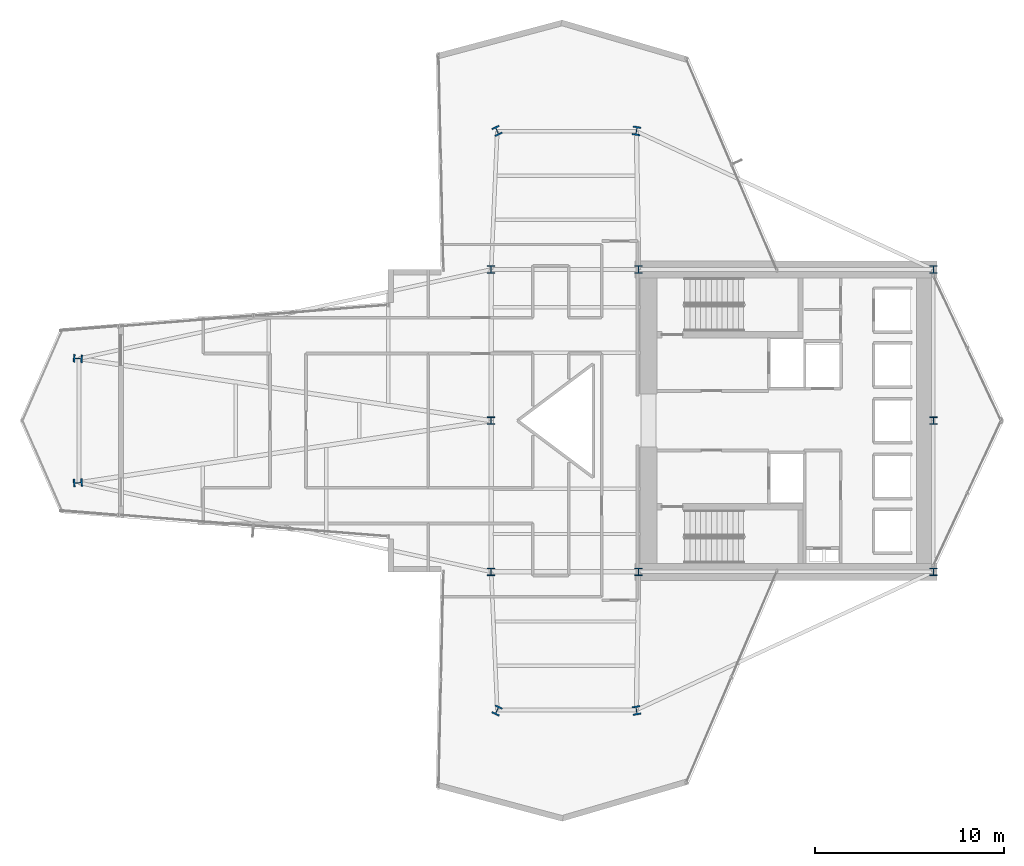
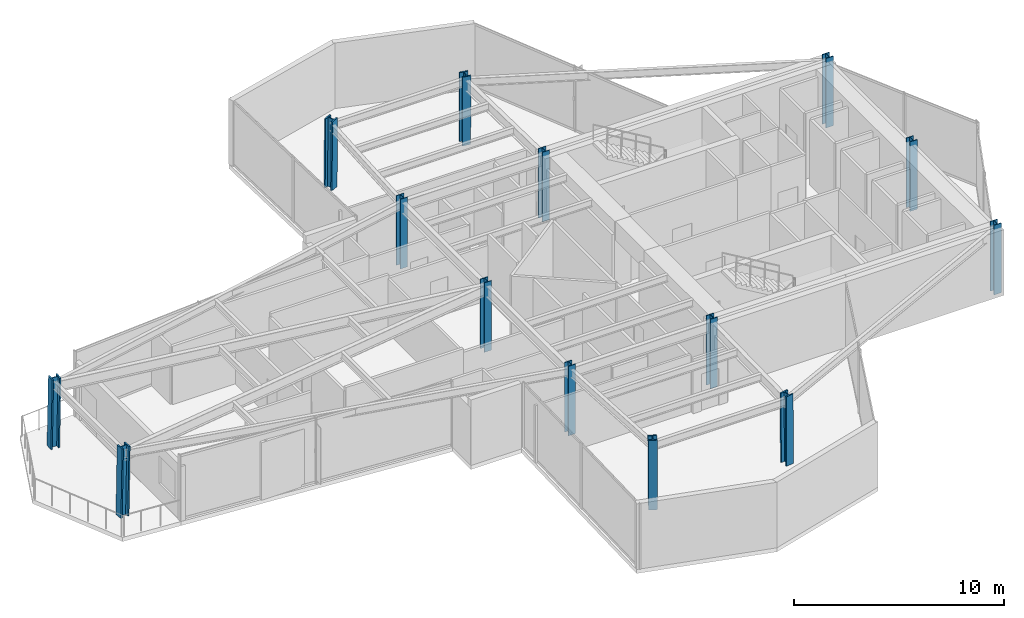
# One storey, part 1 of 27: 14 columns.
"""IFC4 building model written with IfcOpenShell, lengths in metres."""

from ifc_helpers import new_model, si_unit, direction, frame, origin, origin_2d, place, context, subcontext, project, spatial, i_section, extrude, material, material_profile, profile_set, type_object, element, save


model = new_model("IFC4")

# Units and contexts
model_context = context("Model", 3, precision=1e-05, world=origin(), true_north=direction((0.0, 1.0)))
body_context = subcontext(model_context, "Body", "Model", "MODEL_VIEW")
ifc_project = project(units=[si_unit("LENGTHUNIT", "METRE"), si_unit("AREAUNIT", "SQUARE_METRE"), si_unit("VOLUMEUNIT", "CUBIC_METRE"), si_unit("PLANEANGLEUNIT", "RADIAN"), si_unit("MASSUNIT", "GRAM", prefix="KILO")], contexts=[model_context])

# Site, building, storey
site_placement = place(None, origin())
site = spatial("IfcSite", under=ifc_project, at=site_placement, CompositionType="ELEMENT")
building_placement = place(site_placement, origin())
building = spatial("IfcBuilding", under=site, at=building_placement, Name="Veymaron Broadcast Tower", CompositionType="ELEMENT")
storey_placement = place(building_placement, frame((0.0, 0.0, 86.39990234375)))
storey = spatial("IfcBuildingStorey", under=building, at=storey_placement, Name="L19", CompositionType="ELEMENT", Elevation=86.39990234375)

# Columns
ifc_material = material(Name="Structural steel ASTM A913 Gr 65", Category="steel")
ifc_material_profile_1 = material_profile(ifc_material, i_section(OverallWidth=0.40087890625, OverallDepth=0.39892578125, WebThickness=0.02490234375, FlangeThickness=0.03955078125, at=origin_2d()), Name="W360X314")
ifc_profile_set_1 = profile_set([ifc_material_profile_1], Name="Structural steel ASTM A913 Gr 65")
column_type_1 = type_object("IfcColumnType", Name="COL-HC1", PredefinedType="COLUMN", material=ifc_profile_set_1)
for number, where, z_axis, x_axis, name in (
    (1, (31.199951171875, 16.0, 0.0), (0.0, 0.0, 1.0), (1.0, 0.0, 0.0), "L19 structural hub and core column"),
    (2, (31.199951171875, 24.0, 0.0), (0.0, 0.0, 1.0), (1.0, 0.0, 0.0), "L19 structural hub and core column"),
    (3, (31.199951171875, 32.0, 0.0), (0.0, 0.0, 1.0), (1.0, 0.0, 0.0), "L19 structural hub and core column"),
    (4, (39.0, 16.0, 0.0), (0.0, 0.0, 1.0), (1.0, 0.0, 0.0), "L19 structural hub and core column"),
    (5, (39.0, 32.0, 0.0), (0.0, 0.0, 1.0), (1.0, 0.0, 0.0), "L19 structural hub and core column"),
    (6, (54.60009765625, 16.0, 0.0), (0.0, 0.0, 1.0), (1.0, 0.0, 0.0), "L19 structural hub and core column"),
    (7, (54.60009765625, 24.0, 0.0), (0.0, 0.0, 1.0), (1.0, 0.0, 0.0), "L19 structural hub and core column"),
    (8, (54.60009765625, 32.0, 0.0), (0.0, 0.0, 1.0), (1.0, 0.0, 0.0), "L19 structural hub and core column"),
):
    element("IfcColumn", number, at=place(storey_placement, frame(where, z_axis=z_axis, x_axis=x_axis)), inside=storey, type_object=column_type_1, Name=name, PredefinedType="COLUMN", context=body_context, shape_type="SweptSolid", body=[
        extrude(i_section(OverallWidth=0.40087890625, OverallDepth=0.39892578125, WebThickness=0.02490234375, FlangeThickness=0.03955078125, at=origin_2d()), origin(), (0.0, 0.0, 1.0), 4.044189453125),
    ])
ifc_material_profile_2 = material_profile(ifc_material, i_section(OverallWidth=0.424072265625, OverallDepth=0.47412109375, WebThickness=0.047607421875, FlangeThickness=0.076904296875, at=origin_2d()), Name="W360X634")
ifc_profile_set_2 = profile_set([ifc_material_profile_2], Name="Structural steel ASTM A913 Gr 65")
column_type_2 = type_object("IfcColumnType", Name="COL-MC1", PredefinedType="COLUMN", material=ifc_profile_set_2)
for number, where, z_axis, x_axis, name in (
    (9, (9.318115234375, 20.7099609375, 0.01611328125), (0.017131995576, 0.001275786905, 0.999852422658), (-0.074262458715, 0.99723873131, 0.0), "L19 Tapered Wing Mega Column"),
    (10, (9.318115234375, 27.2900390625, 0.01611328125), (0.017131995576, -0.001275786905, 0.999852422658), (0.074262458715, 0.99723873131, 0.0), "L19 Tapered Wing Mega Column"),
):
    element("IfcColumn", number, at=place(storey_placement, frame(where, z_axis=z_axis, x_axis=x_axis)), inside=storey, type_object=column_type_2, Name=name, PredefinedType="COLUMN", context=body_context, shape_type="SweptSolid", body=[
        extrude(i_section(OverallWidth=0.424072265625, OverallDepth=0.47412109375, WebThickness=0.047607421875, FlangeThickness=0.076904296875, at=origin_2d()), origin(), (0.0, 0.0, 1.0), 4.0185546875),
    ])
column_1_placement = place(storey_placement, frame((31.508056640625, 39.340087890625, 0.01611328125), z_axis=(0.003463243796, -0.00747331556, 0.999966077173), x_axis=(0.907310606534, 0.420461012784, 0.0)))
element("IfcColumn", 11, at=column_1_placement, inside=storey, type_object=column_type_2, Name="L19 Tapered Wing Mega Column", PredefinedType="COLUMN", context=body_context, shape_type="SweptSolid", body=[
    extrude(i_section(OverallWidth=0.424072265625, OverallDepth=0.47412109375, WebThickness=0.047607421875, FlangeThickness=0.076904296875, at=origin_2d()), origin(), (0.0, 0.0, 1.0), 4.018310546875),
])
column_2_placement = place(storey_placement, frame((38.889892578125, 39.340087890625, 0.01611328125), z_axis=(-0.001215179652, -0.007473354861, 0.999971335742), x_axis=(0.987036848987, -0.160493796583, 0.0)))
element("IfcColumn", 12, at=column_2_placement, inside=storey, type_object=column_type_2, Name="L19 Tapered Wing Mega Column", PredefinedType="COLUMN", context=body_context, shape_type="SweptSolid", body=[
    extrude(i_section(OverallWidth=0.424072265625, OverallDepth=0.47412109375, WebThickness=0.047607421875, FlangeThickness=0.076904296875, at=origin_2d()), origin(), (0.0, 0.0, 1.0), 4.01806640625),
])
column_3_placement = place(storey_placement, frame((31.508056640625, 8.659912109375, 0.01611328125), z_axis=(0.003463243796, 0.00747331556, 0.999966077173), x_axis=(-0.907310606534, 0.420461012784, 0.0)))
element("IfcColumn", 13, at=column_3_placement, inside=storey, type_object=column_type_2, Name="L19 Tapered Wing Mega Column", PredefinedType="COLUMN", context=body_context, shape_type="SweptSolid", body=[
    extrude(i_section(OverallWidth=0.424072265625, OverallDepth=0.47412109375, WebThickness=0.047607421875, FlangeThickness=0.076904296875, at=origin_2d()), origin(), (0.0, 0.0, 1.0), 4.018310546875),
])
column_4_placement = place(storey_placement, frame((38.889892578125, 8.659912109375, 0.01611328125), z_axis=(-0.001215179652, 0.007473354861, 0.999971335742), x_axis=(-0.987036848987, -0.160493796583, 0.0)))
element("IfcColumn", 14, at=column_4_placement, inside=storey, type_object=column_type_2, Name="L19 Tapered Wing Mega Column", PredefinedType="COLUMN", context=body_context, shape_type="SweptSolid", body=[
    extrude(i_section(OverallWidth=0.424072265625, OverallDepth=0.47412109375, WebThickness=0.047607421875, FlangeThickness=0.076904296875, at=origin_2d()), origin(), (0.0, 0.0, 1.0), 4.01806640625),
])

save(model, "model.ifc")
